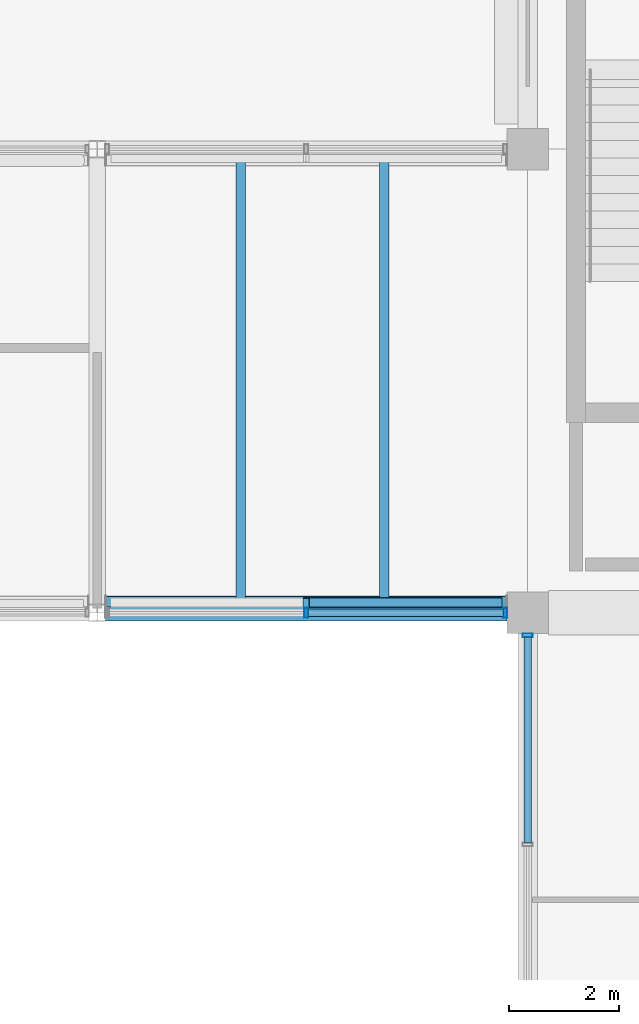
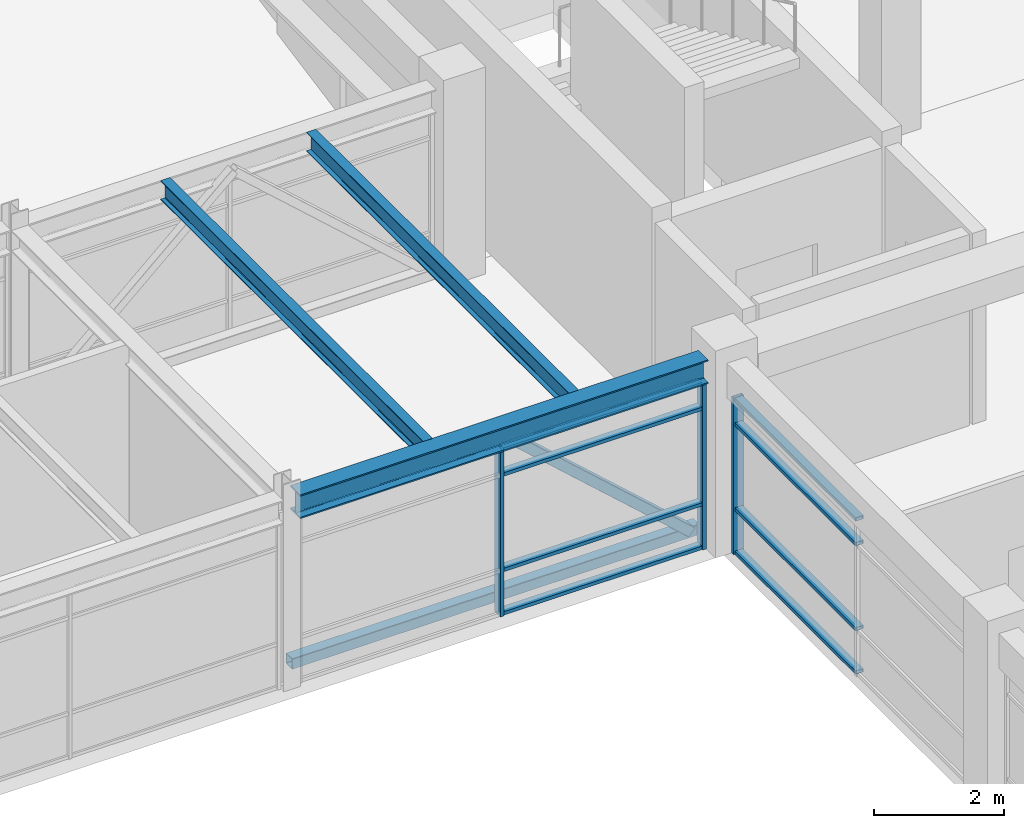
# One storey, part 37 of 72: 13 members, 3 beams, 2 elements without a shape of their own.
"""IFC4 building model written with IfcOpenShell, lengths in metres."""

from ifc_helpers import new_model, si_unit, direction, frame, origin, origin_2d, place, context, subcontext, project, spatial, hollow_rectangle, i_section, extrude, material, material_profile, profile_set, type_object, element, aggregate, save


model = new_model("IFC4")

# Units and contexts
model_context = context("Model", 3, precision=1e-05, world=origin(), true_north=direction((0.0, 1.0)))
body_context = subcontext(model_context, "Body", "Model", "MODEL_VIEW")
ifc_project = project(units=[si_unit("LENGTHUNIT", "METRE"), si_unit("AREAUNIT", "SQUARE_METRE"), si_unit("VOLUMEUNIT", "CUBIC_METRE"), si_unit("PLANEANGLEUNIT", "RADIAN"), si_unit("MASSUNIT", "GRAM", prefix="KILO"), si_unit("THERMODYNAMICTEMPERATUREUNIT", "KELVIN"), si_unit("POWERUNIT", "WATT")], contexts=[model_context])

# Site, building, storey
site_placement = place(None, origin())
site = spatial("IfcSite", under=ifc_project, at=site_placement, CompositionType="ELEMENT")
building_placement = place(site_placement, origin())
building = spatial("IfcBuilding", under=site, at=building_placement, Name="Srebrne Nadtorze General Hospital", CompositionType="ELEMENT")
storey_placement = place(building_placement, frame((0.0, 0.0, 22.199951171875)))
storey = spatial("IfcBuildingStorey", under=building, at=storey_placement, Name="L05", CompositionType="ELEMENT", Elevation=22.199951171875)

# Beam
ifc_material_1 = material(Name="Steel S355J2", Category="steel")
ifc_material_profile_1 = material_profile(ifc_material_1, i_section(OverallWidth=0.300048828125, OverallDepth=0.449951171875, WebThickness=0.013916015625, FlangeThickness=0.02587890625, FilletRadius=0.027099609375, at=origin_2d()), Name="HEB-450")
ifc_profile_set_1 = profile_set([ifc_material_profile_1], Name="Steel S355J2")
beam_type_1 = type_object("IfcBeamType", Name="Courtyard bridge girder HEB 450", PredefinedType="BEAM", material=ifc_profile_set_1)
beam_placement = place(storey_placement, frame((93.75, 50.39990234375, 3.375), z_axis=(1.0, 0.0, 0.0), x_axis=(0.0, 1.0, 0.0)))
element("IfcBeam", 1, at=beam_placement, inside=storey, type_object=beam_type_1, Name="Beam BM-L05-X-1027", PredefinedType="BEAM", context=body_context, shape_type="SweptSolid", body=[
    extrude(i_section(OverallWidth=0.300048828125, OverallDepth=0.449951171875, WebThickness=0.013916015625, FlangeThickness=0.02587890625, FilletRadius=0.027099609375, at=origin_2d()), origin(), (0.0, 0.0, 1.0), 7.27490234375),
])

# Curtain wall, members
ifc_material_2 = material(Name="Anodised Aluminium", Category="aluminium")
curtain_wall_type_1 = type_object("IfcCurtainWallType", Name="Bridge curtain wall 7275x3150", PredefinedType="NOTDEFINED", material=ifc_material_2)
curtain_wall_1_placement = place(storey_placement, origin())
curtain_wall_1 = element("IfcCurtainWall", 2, at=curtain_wall_1_placement, inside=storey, type_object=curtain_wall_type_1, Name="Curtain wall CW-123", PredefinedType="NOTDEFINED")
ifc_material_3 = material(Name="Anodised Aluminium", Category="aluminium")
ifc_material_profile_2 = material_profile(ifc_material_3, hollow_rectangle(XDim=0.06494140625, YDim=0.179931640625, WallThickness=0.00390625, at=origin_2d()), Name="AL-MUL-65x180")
ifc_profile_set_2 = profile_set([ifc_material_profile_2], Name="Anodised Aluminium")
member_type_1 = type_object("IfcMemberType", Name="Curtain mullion 65x180", PredefinedType="MULLION", material=ifc_profile_set_2)
member_1_placement = place(storey_placement, frame((97.387451171875, 50.39990234375, 0.0), z_axis=(0.0, 0.0, 1.0), x_axis=(1.0, 0.0, 0.0)))
member_1 = element("IfcMember", 3, at=member_1_placement, type_object=member_type_1, Name="CW-123 mullion 2", PredefinedType="MULLION", context=body_context, shape_type="SweptSolid", body=[
    extrude(hollow_rectangle(XDim=0.06494140625, YDim=0.179931640625, WallThickness=0.00390625, at=origin_2d()), origin(), (0.0, 0.0, 1.0), 3.150146484375),
])
member_2_placement = place(storey_placement, frame((100.992431640625, 50.39990234375, 0.0), z_axis=(0.0, 0.0, 1.0), x_axis=(1.0, 0.0, 0.0)))
member_2 = element("IfcMember", 4, at=member_2_placement, type_object=member_type_1, Name="CW-123 mullion 3", PredefinedType="MULLION", context=body_context, shape_type="SweptSolid", body=[
    extrude(hollow_rectangle(XDim=0.06494140625, YDim=0.179931640625, WallThickness=0.00390625, at=origin_2d()), origin(), (0.0, 0.0, 1.0), 3.150146484375),
])

# Curtain wall, member
ifc_material_4 = material(Name="Anodised Aluminium", Category="aluminium")
curtain_wall_type_2 = type_object("IfcCurtainWallType", Name="Unitised curtain wall 7650x2950", PredefinedType="NOTDEFINED", material=ifc_material_4)
curtain_wall_2_placement = place(storey_placement, origin())
curtain_wall_2 = element("IfcCurtainWall", 5, at=curtain_wall_2_placement, inside=storey, type_object=curtain_wall_type_2, Name="Curtain wall CW-133", PredefinedType="NOTDEFINED")
member_3_placement = place(storey_placement, frame((101.39990234375, 49.992431640625, 0.0), z_axis=(0.0, 0.0, 1.0), x_axis=(0.0, 1.0, 0.0)))
member_3 = element("IfcMember", 6, at=member_3_placement, type_object=member_type_1, Name="CW-133 mullion 3", PredefinedType="MULLION", context=body_context, shape_type="SweptSolid", body=[
    extrude(hollow_rectangle(XDim=0.06494140625, YDim=0.179931640625, WallThickness=0.00390625, at=origin_2d()), origin(), (0.0, 0.0, 1.0), 2.949951171875),
])

# Member
ifc_material_5 = material(Name="Anodised Aluminium", Category="aluminium")
ifc_material_profile_3 = material_profile(ifc_material_5, hollow_rectangle(XDim=0.06494140625, YDim=0.139892578125, WallThickness=0.00390625, at=origin_2d()), Name="AL-TRN-65x140")
ifc_profile_set_3 = profile_set([ifc_material_profile_3], Name="Anodised Aluminium")
member_type_2 = type_object("IfcMemberType", Name="Curtain transom 65x140", PredefinedType="USERDEFINED", material=ifc_profile_set_3)
member_4_placement = place(storey_placement, frame((97.419921875, 50.39990234375, 0.032470703125), z_axis=(1.0, 0.0, 0.0), x_axis=(0.0, 0.0, 1.0)))
member_4 = element("IfcMember", 7, at=member_4_placement, type_object=member_type_2, Name="CW-123 transom 2.1", ObjectType="TRANSOM", PredefinedType="USERDEFINED", context=body_context, shape_type="SweptSolid", body=[
    extrude(hollow_rectangle(XDim=0.06494140625, YDim=0.139892578125, WallThickness=0.00390625, at=origin_2d()), origin(), (0.0, 0.0, 1.0), 3.5400390625),
])

member_5_placement = place(storey_placement, frame((97.419921875, 50.39990234375, 0.85009765625), z_axis=(1.0, 0.0, 0.0), x_axis=(0.0, 0.0, 1.0)))
member_5 = element("IfcMember", 8, at=member_5_placement, type_object=member_type_2, Name="CW-123 transom 2.2", ObjectType="TRANSOM", PredefinedType="USERDEFINED", context=body_context, shape_type="SweptSolid", body=[
    extrude(hollow_rectangle(XDim=0.06494140625, YDim=0.139892578125, WallThickness=0.00390625, at=origin_2d()), origin(), (0.0, 0.0, 1.0), 3.5400390625),
])

member_6_placement = place(storey_placement, frame((97.419921875, 50.39990234375, 2.650146484375), z_axis=(1.0, 0.0, 0.0), x_axis=(0.0, 0.0, 1.0)))
member_6 = element("IfcMember", 9, at=member_6_placement, type_object=member_type_2, Name="CW-123 transom 2.3", ObjectType="TRANSOM", PredefinedType="USERDEFINED", context=body_context, shape_type="SweptSolid", body=[
    extrude(hollow_rectangle(XDim=0.06494140625, YDim=0.139892578125, WallThickness=0.00390625, at=origin_2d()), origin(), (0.0, 0.0, 1.0), 3.5400390625),
])

member_7_placement = place(storey_placement, frame((97.419921875, 50.39990234375, 3.117431640625), z_axis=(1.0, 0.0, 0.0), x_axis=(0.0, 0.0, 1.0)))
member_7 = element("IfcMember", 10, at=member_7_placement, type_object=member_type_2, Name="CW-123 transom 2.4", ObjectType="TRANSOM", PredefinedType="USERDEFINED", context=body_context, shape_type="SweptSolid", body=[
    extrude(hollow_rectangle(XDim=0.06494140625, YDim=0.139892578125, WallThickness=0.00390625, at=origin_2d()), origin(), (0.0, 0.0, 1.0), 3.5400390625),
])

aggregate(curtain_wall_1, [member_1, member_2, member_4, member_5, member_6, member_7])

member_8_placement = place(storey_placement, frame((101.39990234375, 46.232421875, 0.032470703125), z_axis=(0.0, 1.0, 0.0), x_axis=(0.0, 0.0, 1.0)))
member_8 = element("IfcMember", 11, at=member_8_placement, type_object=member_type_2, Name="CW-133 transom 2.1", ObjectType="TRANSOM", PredefinedType="USERDEFINED", context=body_context, shape_type="SweptSolid", body=[
    extrude(hollow_rectangle(XDim=0.06494140625, YDim=0.139892578125, WallThickness=0.00390625, at=origin_2d()), origin(), (0.0, 0.0, 1.0), 3.7275390625),
])

member_9_placement = place(storey_placement, frame((101.39990234375, 46.232421875, 0.85009765625), z_axis=(0.0, 1.0, 0.0), x_axis=(0.0, 0.0, 1.0)))
member_9 = element("IfcMember", 12, at=member_9_placement, type_object=member_type_2, Name="CW-133 transom 2.2", ObjectType="TRANSOM", PredefinedType="USERDEFINED", context=body_context, shape_type="SweptSolid", body=[
    extrude(hollow_rectangle(XDim=0.06494140625, YDim=0.139892578125, WallThickness=0.00390625, at=origin_2d()), origin(), (0.0, 0.0, 1.0), 3.7275390625),
])

member_10_placement = place(storey_placement, frame((101.39990234375, 46.232421875, 2.449951171875), z_axis=(0.0, 1.0, 0.0), x_axis=(0.0, 0.0, 1.0)))
member_10 = element("IfcMember", 13, at=member_10_placement, type_object=member_type_2, Name="CW-133 transom 2.3", ObjectType="TRANSOM", PredefinedType="USERDEFINED", context=body_context, shape_type="SweptSolid", body=[
    extrude(hollow_rectangle(XDim=0.06494140625, YDim=0.139892578125, WallThickness=0.00390625, at=origin_2d()), origin(), (0.0, 0.0, 1.0), 3.7275390625),
])

member_11_placement = place(storey_placement, frame((101.39990234375, 46.232421875, 2.91748046875), z_axis=(0.0, 1.0, 0.0), x_axis=(0.0, 0.0, 1.0)))
member_11 = element("IfcMember", 14, at=member_11_placement, type_object=member_type_2, Name="CW-133 transom 2.4", ObjectType="TRANSOM", PredefinedType="USERDEFINED", context=body_context, shape_type="SweptSolid", body=[
    extrude(hollow_rectangle(XDim=0.06494140625, YDim=0.139892578125, WallThickness=0.00390625, at=origin_2d()), origin(), (0.0, 0.0, 1.0), 3.7275390625),
])

aggregate(curtain_wall_2, [member_3, member_8, member_9, member_10, member_11])

# Beams
ifc_material_6 = material(Name="Steel S355J2", Category="steel")
ifc_material_profile_4 = material_profile(ifc_material_6, i_section(OverallWidth=0.169921875, OverallDepth=0.360107421875, WebThickness=0.008056640625, FlangeThickness=0.0126953125, FilletRadius=0.01806640625, at=origin_2d()), Name="IPE-360")
ifc_profile_set_4 = profile_set([ifc_material_profile_4], Name="Steel S355J2")
beam_type_2 = type_object("IfcBeamType", Name="Deck joist IPE 360", PredefinedType="JOIST", material=ifc_profile_set_4)
for number, where, z_axis, x_axis, name in (
    (15, (96.199951171875, 50.544921875, 3.420166015625), (0.0, 1.0, 0.0), (-1.0, 0.0, 0.0), "Clinical courtyard bridge deck joist 162"),
    (16, (98.800048828125, 50.544921875, 3.420166015625), (0.0, 1.0, 0.0), (-1.0, 0.0, 0.0), "Clinical courtyard bridge deck joist 163"),
):
    element("IfcBeam", number, at=place(storey_placement, frame(where, z_axis=z_axis, x_axis=x_axis)), inside=storey, type_object=beam_type_2, Name=name, PredefinedType="JOIST", context=body_context, shape_type="SweptSolid", body=[
        extrude(i_section(OverallWidth=0.169921875, OverallDepth=0.360107421875, WebThickness=0.008056640625, FlangeThickness=0.0126953125, FilletRadius=0.01806640625, at=origin_2d()), origin(), (0.0, 0.0, 1.0), 8.110107421875),
    ])

# Members
ifc_material_7 = material(Name="Steel S355J2", Category="steel")
ifc_material_profile_5 = material_profile(ifc_material_7, hollow_rectangle(XDim=0.179931640625, YDim=0.179931640625, WallThickness=0.008056640625, InnerFilletRadius=0.008056640625, OuterFilletRadius=0.011962890625, at=origin_2d()), Name="SHS-180x180x8")
ifc_profile_set_5 = profile_set([ifc_material_profile_5], Name="Steel S355J2")
member_type_3 = type_object("IfcMemberType", Name="Diagonal brace SHS 180x180x8", PredefinedType="BRACE", material=ifc_profile_set_5)
member_12_placement = place(storey_placement, frame((100.875, 50.5849609375, 0.25), z_axis=(-0.744213065874, 0.0, 0.667942297345), x_axis=(0.0, -1.0, 0.0)))
element("IfcMember", 17, at=member_12_placement, inside=storey, type_object=member_type_3, Name="Clinical courtyard bridge brace 12", PredefinedType="BRACE", context=body_context, shape_type="SweptSolid", body=[
    extrude(hollow_rectangle(XDim=0.179931640625, YDim=0.179931640625, WallThickness=0.008056640625, InnerFilletRadius=0.008056640625, OuterFilletRadius=0.011962890625, at=origin_2d()), origin(), (0.0, 0.0, 1.0), 4.686279296875),
])
ifc_material_8 = material(Name="Steel S355J2", Category="steel")
ifc_material_profile_6 = material_profile(ifc_material_8, hollow_rectangle(XDim=0.199951171875, YDim=0.199951171875, WallThickness=0.010009765625, InnerFilletRadius=0.010009765625, OuterFilletRadius=0.014892578125, at=origin_2d()), Name="SHS-200x200x10")
ifc_profile_set_6 = profile_set([ifc_material_profile_6], Name="Steel S355J2")
member_type_4 = type_object("IfcMemberType", Name="Truss chord SHS 200x200x10", PredefinedType="CHORD", material=ifc_profile_set_6)
member_13_placement = place(storey_placement, frame((93.761962890625, 50.60498046875, 0.25), z_axis=(1.0, 0.0, 0.0), x_axis=(0.0, 1.0, 0.0)))
element("IfcMember", 18, at=member_13_placement, inside=storey, type_object=member_type_4, Name="Clinical courtyard bridge truss chord 6", PredefinedType="CHORD", context=body_context, shape_type="SweptSolid", body=[
    extrude(hollow_rectangle(XDim=0.199951171875, YDim=0.199951171875, WallThickness=0.010009765625, InnerFilletRadius=0.010009765625, OuterFilletRadius=0.014892578125, at=origin_2d()), origin(), (0.0, 0.0, 1.0), 7.2509765625),
])

save(model, "model.ifc")
